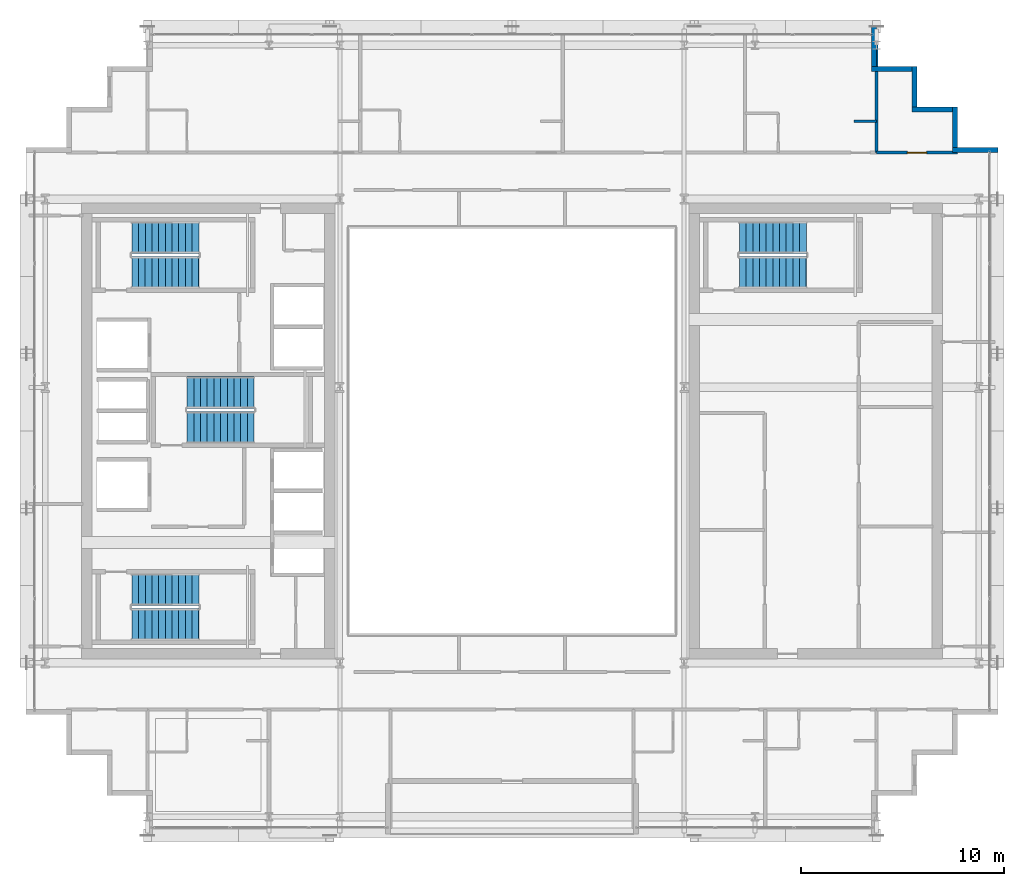
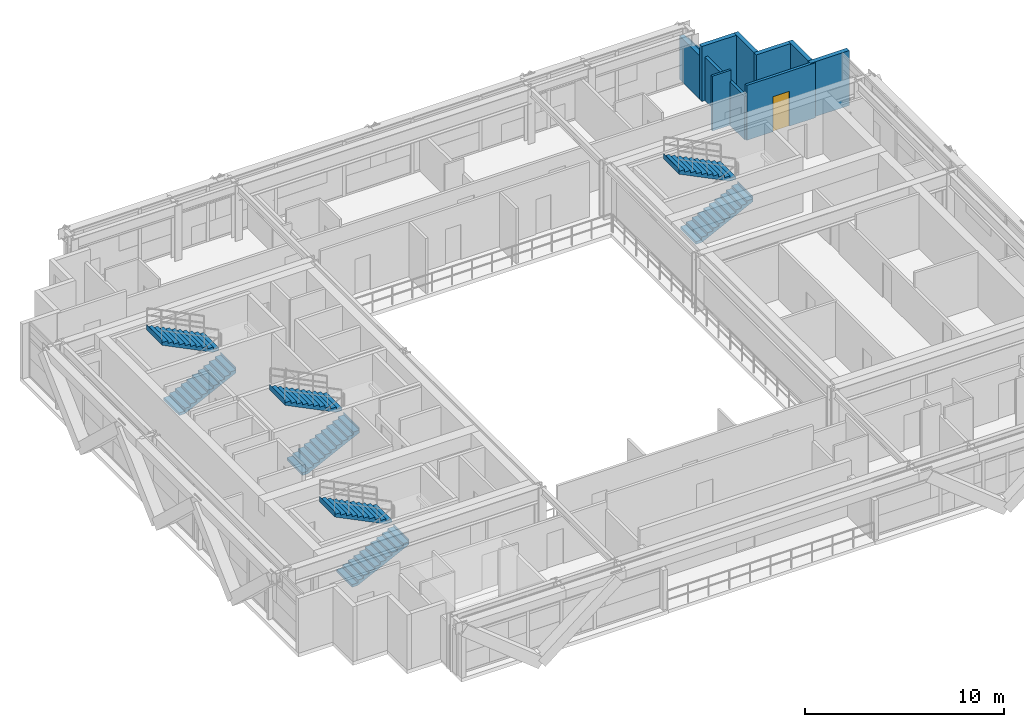
# One storey, part 28 of 32: 9 walls, 8 stair flights, 1 door, 1 opening, 4 elements without a shape of their own.
"""IFC4 building model written with IfcOpenShell, lengths in metres."""

from ifc_helpers import new_model, si_unit, direction, frame, frame_2d, origin, place, context, subcontext, project, spatial, polyline, rectangle, outline, extrude, source, transform, mapped, material, layer, layer_set, type_object, element, fill, aggregate, save


model = new_model("IFC4")

# Units and contexts
model_context = context("Model", 3, precision=1e-05, world=origin(), true_north=direction((0.0, 1.0)))
body_context = subcontext(model_context, "Body", "Model", "MODEL_VIEW")
ifc_project = project(units=[si_unit("LENGTHUNIT", "METRE"), si_unit("AREAUNIT", "SQUARE_METRE"), si_unit("VOLUMEUNIT", "CUBIC_METRE"), si_unit("PLANEANGLEUNIT", "RADIAN"), si_unit("MASSUNIT", "GRAM", prefix="KILO")], contexts=[model_context])

# Site, building, storey
site_placement = place(None, origin())
site = spatial("IfcSite", under=ifc_project, at=site_placement, CompositionType="ELEMENT")
building_placement = place(site_placement, origin())
building = spatial("IfcBuilding", under=site, at=building_placement, Name="Ocotamira Hotel", CompositionType="ELEMENT")
storey_placement = place(building_placement, frame((0.0, 0.0, 213.60009765625)))
storey = spatial("IfcBuildingStorey", under=building, at=storey_placement, Name="L54", CompositionType="ELEMENT", Elevation=213.60009765625)

# Walls
ifc_material_1 = material(Name="Precast concrete C45/55", Category="concrete")
ifc_layer_1 = layer(ifc_material_1, 0.25)
ifc_layer_set_1 = layer_set([ifc_layer_1], Name="Precast concrete C45/55")
wall_type_1 = type_object("IfcWallType", Name="WL-EXT-SER-250", PredefinedType="SOLIDWALL", material=ifc_layer_set_1)
wall_1_placement = place(storey_placement, frame((56.0, 39.875, 0.0), z_axis=(0.0, 0.0, 1.0), x_axis=(-1.0, 0.0, 0.0)))
element("IfcWall", 1, at=wall_1_placement, inside=storey, type_object=wall_type_1, Name="L54 Serrated Corner Wall 07", PredefinedType="SOLIDWALL", context=body_context, shape_type="SweptSolid", body=[
    extrude(rectangle(XDim=2.25, YDim=0.25, at=frame_2d((1.125, 0.0))), origin(), (0.0, 0.0, 1.0), 3.369873046875),
])
for number, where, z_axis, x_axis, name in (
    (2, (53.875, 40.0, 0.0), (0.0, 0.0, 1.0), (0.0, 1.0, 0.0), "L54 Serrated Corner Wall 08"),
    (3, (53.75, 41.875, 0.0), (0.0, 0.0, 1.0), (-1.0, 0.0, 0.0), "L54 Serrated Corner Wall 09"),
    (4, (51.875, 42.0, 0.0), (0.0, 0.0, 1.0), (0.0, 1.0, 0.0), "L54 Serrated Corner Wall 10"),
    (5, (51.75, 43.875, 0.0), (0.0, 0.0, 1.0), (-1.0, 0.0, 0.0), "L54 Serrated Corner Wall 11"),
):
    element("IfcWall", number, at=place(storey_placement, frame(where, z_axis=z_axis, x_axis=x_axis)), inside=storey, type_object=wall_type_1, Name=name, PredefinedType="SOLIDWALL", context=body_context, shape_type="SweptSolid", body=[
        extrude(rectangle(XDim=2.0, YDim=0.25, at=frame_2d((1.0, 0.0))), origin(), (0.0, 0.0, 1.0), 3.369873046875),
    ])
wall_2_placement = place(storey_placement, frame((49.875, 44.0, 0.0), z_axis=(0.0, 0.0, 1.0), x_axis=(0.0, 1.0, 0.0)))
element("IfcWall", 6, at=wall_2_placement, inside=storey, type_object=wall_type_1, Name="L54 Serrated Corner Wall 12", PredefinedType="SOLIDWALL", context=body_context, shape_type="SweptSolid", body=[
    extrude(rectangle(XDim=2.0, YDim=0.25, at=frame_2d((1.0, 0.0))), origin(), (0.0, 0.0, 1.0), 2.677001953125),
])

# Wall, opening, door
ifc_material_2 = material(Name="Acoustic double-layer fire gypsum board partition", Category="gypsum")
ifc_layer_2 = layer(ifc_material_2, 0.159912109375)
ifc_layer_set_2 = layer_set([ifc_layer_2], Name="Acoustic double-layer fire gypsum board partition")
wall_type_2 = type_object("IfcWallType", Name="WL-FIRE-160", PredefinedType="PARTITIONING", material=ifc_layer_set_2)
wall_3_placement = place(storey_placement, frame((50.0, 39.75, 0.0), z_axis=(0.0, 0.0, 1.0), x_axis=(1.0, 0.0, 0.0)))
wall_3 = element("IfcWall", 7, at=wall_3_placement, inside=storey, type_object=wall_type_2, Name="L54 Interior Wall PW-L54-Z3F-CNE-CW", PredefinedType="PARTITIONING", context=body_context, shape_type="SweptSolid", body=[
    extrude(rectangle(XDim=4.0, YDim=0.159912109375, at=frame_2d((2.0, 0.0))), origin(), (0.0, 0.0, 1.0), 3.369873046875),
])
opening_placement = place(wall_3_placement, frame((1.52001953125, 0.0, 0.0)))
opening = element("IfcOpeningElement", 8, at=opening_placement, cuts=wall_3, Name="Opening D-SV4", PredefinedType="OPENING", context=body_context, shape_type="SweptSolid", body=[
    extrude(rectangle(XDim=0.9599609375, YDim=2.14990234375, at=frame_2d((0.47998046875, 1.074951171875))), frame((0.0, 0.08984375, 0.0), z_axis=(0.0, -1.0, 0.0), x_axis=(1.0, 0.0, 0.0)), (0.0, 0.0, 1.0), 0.179931640625),
])
ifc_material_3 = material(Name="Fire-rated accessible walnut salon door", Category="wood")
door_type = type_object("IfcDoorType", Name="DR-SERV-960", OperationType="NOTDEFINED", PredefinedType="DOOR", material=ifc_material_3)
shared_shape_1 = source(origin(), body_context, "Body", "SweptSolid", [
    extrude(rectangle(XDim=0.9599609375, YDim=2.14990234375, at=frame_2d((0.47998046875, 1.074951171875))), frame((0.0, 0.02490234375, 0.0), z_axis=(0.0, -1.0, 0.0), x_axis=(1.0, 0.0, 0.0)), (0.0, 0.0, 1.0), 0.050048828125),
])
door_placement = place(opening_placement, origin())
door = element("IfcDoor", 9, at=door_placement, inside=storey, type_object=door_type, Name="L54 Door ID-L54-Z3F-CNE-CD [ID-L54-Z3F-CNE-CD]", OperationType="SINGLE_SWING_LEFT", OverallHeight=2.14990234375, OverallWidth=0.9599609375, PredefinedType="DOOR", context=body_context, shape_type="MappedRepresentation", body=[
    mapped(shared_shape_1, transform((0.0, 0.0, 0.0), scale=1.0)),
])
fill(opening, door)

# Walls
ifc_material_4 = material(Name="Moisture-resistant en-suite tile and gypsum partition", Category="gypsum")
ifc_layer_3 = layer(ifc_material_4, 0.1201171875)
ifc_layer_set_3 = layer_set([ifc_layer_3], Name="Moisture-resistant en-suite tile and gypsum partition")
wall_type_3 = type_object("IfcWallType", Name="WL-PART-120", PredefinedType="PARTITIONING", material=ifc_layer_set_3)
wall_4_placement = place(storey_placement, frame((48.89990234375, 41.300048828125, 0.0), z_axis=(0.0, 0.0, 1.0), x_axis=(1.0, 0.0, 0.0)))
element("IfcWall", 10, at=wall_4_placement, inside=storey, type_object=wall_type_3, Name="L54 Interior Wall PW-L54-Z3FN-DRN4", PredefinedType="PARTITIONING", context=body_context, shape_type="SweptSolid", body=[
    extrude(rectangle(XDim=1.10009765625, YDim=0.1201171875, at=frame_2d((0.550048828125, 0.0))), origin(), (0.0, 0.0, 1.0), 3.369873046875),
])
ifc_material_5 = material(Name="Acoustic double-stud hospitality gypsum partition", Category="gypsum")
ifc_layer_4 = layer(ifc_material_5, 0.159912109375)
ifc_layer_set_4 = layer_set([ifc_layer_4], Name="Acoustic double-stud hospitality gypsum partition")
wall_type_4 = type_object("IfcWallType", Name="WL-PART-160", PredefinedType="PARTITIONING", material=ifc_layer_set_4)
wall_5_placement = place(storey_placement, frame((50.0, 39.75, 0.0), z_axis=(0.0, 0.0, 1.0), x_axis=(0.0, 1.0, 0.0)))
element("IfcWall", 11, at=wall_5_placement, inside=storey, type_object=wall_type_4, Name="L54 Interior Wall PW-L54-Z3FN-PWEND", PredefinedType="PARTITIONING", context=body_context, shape_type="SweptSolid", body=[
    extrude(rectangle(XDim=5.889892578125, YDim=0.159912109375, at=frame_2d((2.94482421875, 0.0))), origin(), (0.0, 0.0, 1.0), 2.677001953125),
])

# Stair, stair flights
ifc_material_6 = material(Name="Concrete C40/50", Category="concrete")
stair_type = type_object("IfcStairType", Name="ST-CORE-1560", PredefinedType="HALF_TURN_STAIR", material=ifc_material_6)
stair_1_placement = place(storey_placement, origin())
stair_1 = element("IfcStair", 12, at=stair_1_placement, inside=storey, type_object=stair_type, Name="L54 Exit Stair ST-1", PredefinedType="HALF_TURN_STAIR")
stair_flight_type = type_object("IfcStairFlightType", Name="STF-CORE-1560", PredefinedType="STRAIGHT", material=ifc_material_6)
shared_shape_2 = source(origin(), body_context, "Body", "SweptSolid", [
    extrude(outline(polyline([(-0.00390625, 0.0), (-0.00390625, 0.16357421875), (0.330078125, 0.16357421875), (0.330078125, 0.327392578125), (0.659912109375, 0.327392578125), (0.659912109375, 0.490966796875), (0.989990234375, 0.490966796875), (0.989990234375, 0.654541015625), (1.320068359375, 0.654541015625), (1.320068359375, 0.818115234375), (1.64990234375, 0.818115234375), (1.64990234375, 0.98193359375), (1.97998046875, 0.98193359375), (1.97998046875, 1.1455078125), (2.31005859375, 1.1455078125), (2.31005859375, 1.30908203125), (2.639892578125, 1.30908203125), (2.639892578125, 1.47265625), (2.969970703125, 1.47265625), (2.969970703125, 1.636474609375), (3.300048828125, 1.636474609375), (3.300048828125, 1.800048828125), (3.303955078125, 1.800048828125), (3.303955078125, 1.468994140625), (0.33740234375, 0.0), (-0.00390625, 0.0)])), frame((0.0, 0.780029296875, 0.0), z_axis=(0.0, -1.0, 0.0), x_axis=(1.0, 0.0, 0.0)), (0.0, 0.0, 1.0), 1.56005859375),
])
stair_flight_1_placement = place(storey_placement, frame((13.22998046875, 16.449951171875, 0.0), z_axis=(0.0, 0.0, 1.0), x_axis=(1.0, 0.0, 0.0)))
stair_flight_1 = element("IfcStairFlight", 13, at=stair_flight_1_placement, type_object=stair_flight_type, Name="ST-1 flight 1", NumberOfRisers=11, NumberOfTreads=10, PredefinedType="STRAIGHT", RiserHeight=0.163636364, TreadLength=0.33, context=body_context, shape_type="MappedRepresentation", body=[
    mapped(shared_shape_2, transform((0.0, 0.0, 0.0), scale=1.0)),
])
stair_flight_2_placement = place(storey_placement, frame((16.530029296875, 18.169921875, 1.7998046875), z_axis=(0.0, 0.0, 1.0), x_axis=(-1.0, 0.0, 0.0)))
stair_flight_2 = element("IfcStairFlight", 14, at=stair_flight_2_placement, type_object=stair_flight_type, Name="ST-1 flight 2", NumberOfRisers=11, NumberOfTreads=10, PredefinedType="STRAIGHT", RiserHeight=0.163636364, TreadLength=0.33, context=body_context, shape_type="MappedRepresentation", body=[
    mapped(shared_shape_2, transform((0.0, 0.0, 0.0), scale=1.0)),
])
aggregate(stair_1, [stair_flight_1, stair_flight_2])

stair_2_placement = place(storey_placement, origin())
stair_2 = element("IfcStair", 15, at=stair_2_placement, inside=storey, type_object=stair_type, Name="L54 Exit Stair ST-2", PredefinedType="HALF_TURN_STAIR")
stair_flight_3_placement = place(storey_placement, frame((13.22998046875, 33.830078125, 0.0), z_axis=(0.0, 0.0, 1.0), x_axis=(1.0, 0.0, 0.0)))
stair_flight_3 = element("IfcStairFlight", 16, at=stair_flight_3_placement, type_object=stair_flight_type, Name="ST-2 flight 1", NumberOfRisers=11, NumberOfTreads=10, PredefinedType="STRAIGHT", RiserHeight=0.163636364, TreadLength=0.33, context=body_context, shape_type="MappedRepresentation", body=[
    mapped(shared_shape_2, transform((0.0, 0.0, 0.0), scale=1.0)),
])
stair_flight_4_placement = place(storey_placement, frame((16.530029296875, 35.550048828125, 1.7998046875), z_axis=(0.0, 0.0, 1.0), x_axis=(-1.0, 0.0, 0.0)))
stair_flight_4 = element("IfcStairFlight", 17, at=stair_flight_4_placement, type_object=stair_flight_type, Name="ST-2 flight 2", NumberOfRisers=11, NumberOfTreads=10, PredefinedType="STRAIGHT", RiserHeight=0.163636364, TreadLength=0.33, context=body_context, shape_type="MappedRepresentation", body=[
    mapped(shared_shape_2, transform((0.0, 0.0, 0.0), scale=1.0)),
])
aggregate(stair_2, [stair_flight_3, stair_flight_4])

stair_3_placement = place(storey_placement, origin())
stair_3 = element("IfcStair", 18, at=stair_3_placement, inside=storey, type_object=stair_type, Name="L54 Exit Stair ST-3", PredefinedType="HALF_TURN_STAIR")
stair_flight_5_placement = place(storey_placement, frame((15.9599609375, 26.179931640625, 0.0), z_axis=(0.0, 0.0, 1.0), x_axis=(1.0, 0.0, 0.0)))
stair_flight_5 = element("IfcStairFlight", 19, at=stair_flight_5_placement, type_object=stair_flight_type, Name="ST-3 flight 1", NumberOfRisers=11, NumberOfTreads=10, PredefinedType="STRAIGHT", RiserHeight=0.163636364, TreadLength=0.33, context=body_context, shape_type="MappedRepresentation", body=[
    mapped(shared_shape_2, transform((0.0, 0.0, 0.0), scale=1.0)),
])
stair_flight_6_placement = place(storey_placement, frame((19.260009765625, 27.89990234375, 1.7998046875), z_axis=(0.0, 0.0, 1.0), x_axis=(-1.0, 0.0, 0.0)))
stair_flight_6 = element("IfcStairFlight", 20, at=stair_flight_6_placement, type_object=stair_flight_type, Name="ST-3 flight 2", NumberOfRisers=11, NumberOfTreads=10, PredefinedType="STRAIGHT", RiserHeight=0.163636364, TreadLength=0.33, context=body_context, shape_type="MappedRepresentation", body=[
    mapped(shared_shape_2, transform((0.0, 0.0, 0.0), scale=1.0)),
])
aggregate(stair_3, [stair_flight_5, stair_flight_6])

stair_4_placement = place(storey_placement, origin())
stair_4 = element("IfcStair", 21, at=stair_4_placement, inside=storey, type_object=stair_type, Name="L54 Exit Stair ST-4", PredefinedType="HALF_TURN_STAIR")
stair_flight_7_placement = place(storey_placement, frame((43.22998046875, 33.830078125, 0.0), z_axis=(0.0, 0.0, 1.0), x_axis=(1.0, 0.0, 0.0)))
stair_flight_7 = element("IfcStairFlight", 22, at=stair_flight_7_placement, type_object=stair_flight_type, Name="ST-4 flight 1", NumberOfRisers=11, NumberOfTreads=10, PredefinedType="STRAIGHT", RiserHeight=0.163636364, TreadLength=0.33, context=body_context, shape_type="MappedRepresentation", body=[
    mapped(shared_shape_2, transform((0.0, 0.0, 0.0), scale=1.0)),
])
stair_flight_8_placement = place(storey_placement, frame((46.530029296875, 35.550048828125, 1.7998046875), z_axis=(0.0, 0.0, 1.0), x_axis=(-1.0, 0.0, 0.0)))
stair_flight_8 = element("IfcStairFlight", 23, at=stair_flight_8_placement, type_object=stair_flight_type, Name="ST-4 flight 2", NumberOfRisers=11, NumberOfTreads=10, PredefinedType="STRAIGHT", RiserHeight=0.163636364, TreadLength=0.33, context=body_context, shape_type="MappedRepresentation", body=[
    mapped(shared_shape_2, transform((0.0, 0.0, 0.0), scale=1.0)),
])
aggregate(stair_4, [stair_flight_7, stair_flight_8])

save(model, "model.ifc")
